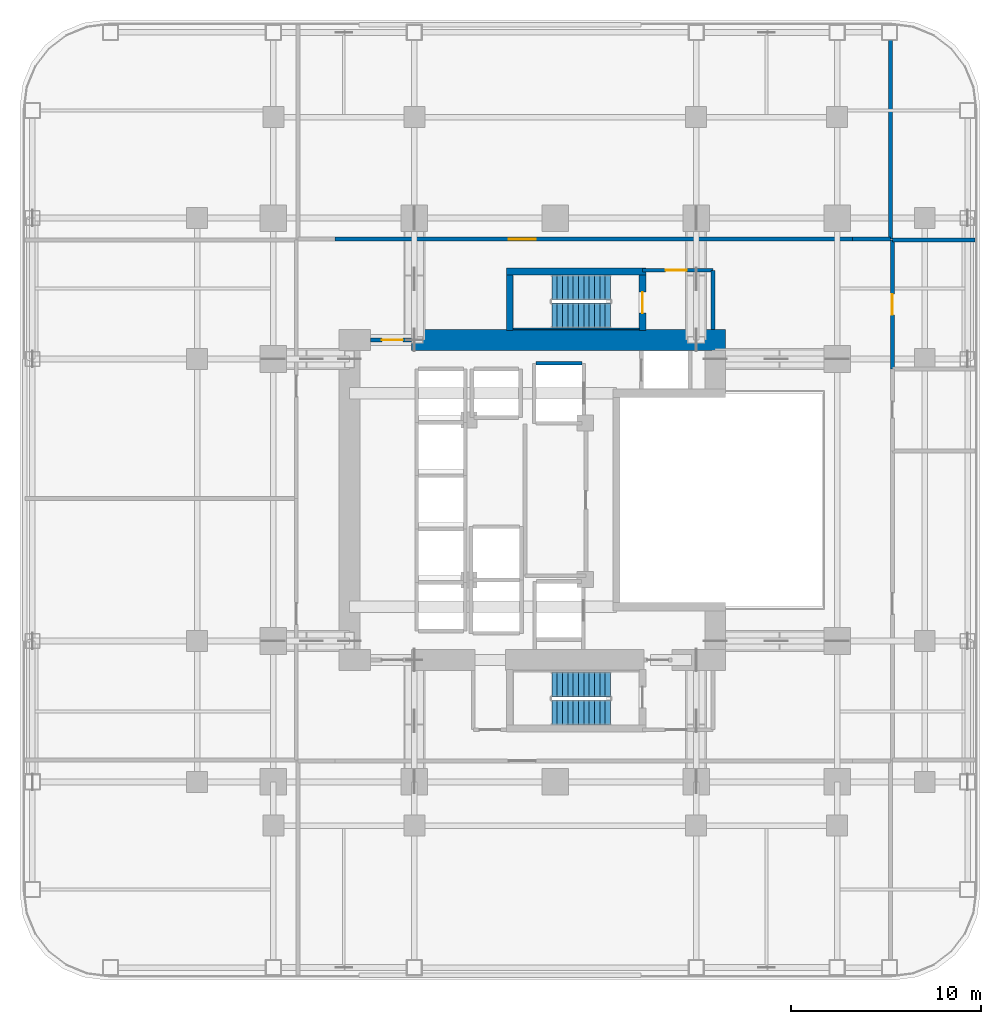
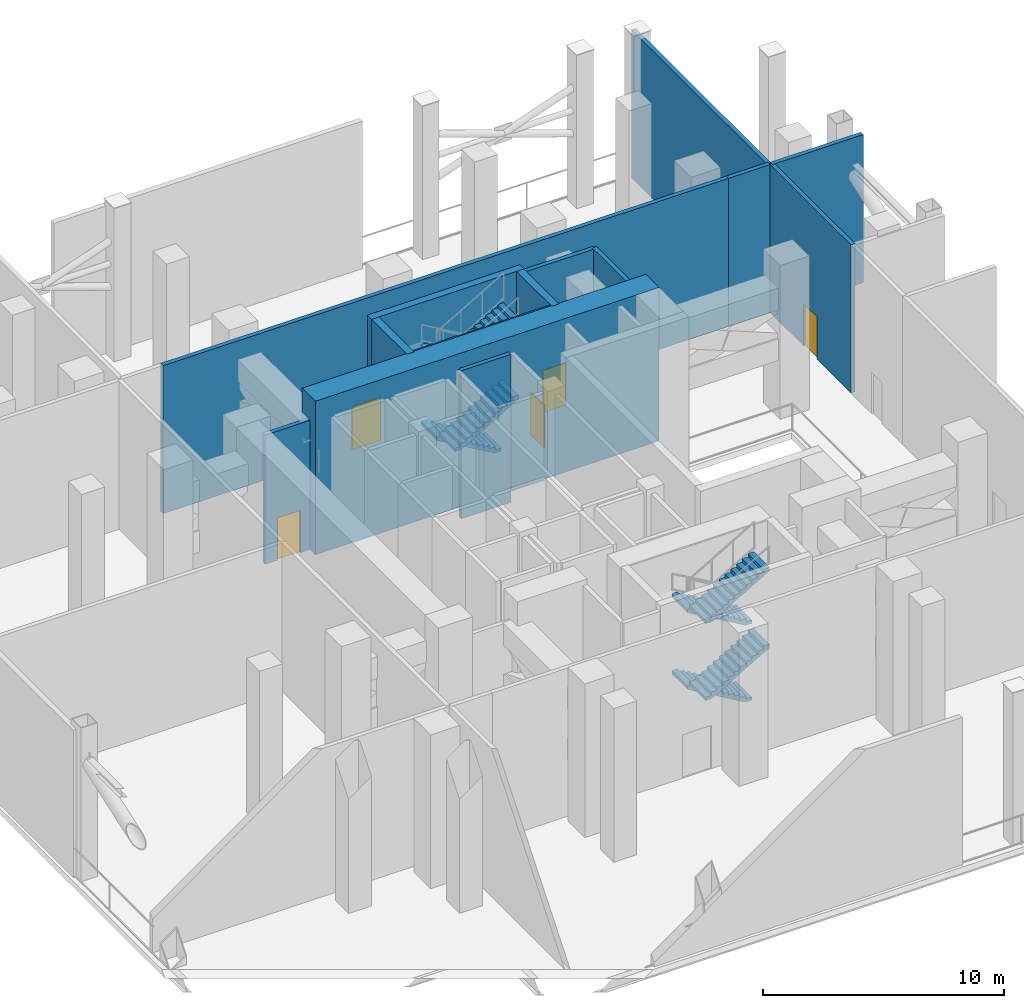
# One storey, part 6 of 11: 14 walls, 8 stair flights, 5 doors, 5 openings, 2 elements without a shape of their own.
"""IFC4 building model written with IfcOpenShell, lengths in metres."""

from ifc_helpers import new_model, si_unit, direction, frame, frame_2d, origin, place, context, subcontext, project, spatial, polyline, rectangle, outline, extrude, material, layer, layer_set, type_object, element, fill, aggregate, save


model = new_model("IFC4")

# Units and contexts
model_context = context("Model", 3, precision=1e-05, world=origin(), true_north=direction((0.0, 1.0)))
body_context = subcontext(model_context, "Body", "Model", "MODEL_VIEW")
ifc_project = project(units=[si_unit("LENGTHUNIT", "METRE"), si_unit("AREAUNIT", "SQUARE_METRE"), si_unit("VOLUMEUNIT", "CUBIC_METRE"), si_unit("PLANEANGLEUNIT", "RADIAN"), si_unit("MASSUNIT", "GRAM", prefix="KILO")], contexts=[model_context])

# Site, building, storey
site_placement = place(None, origin())
site = spatial("IfcSite", under=ifc_project, at=site_placement, CompositionType="ELEMENT")
building_placement = place(site_placement, origin())
building = spatial("IfcBuilding", under=site, at=building_placement, Name="Khorvyn Point Tower", CompositionType="ELEMENT")
storey_placement = place(building_placement, frame((0.0, 0.0, 77.39990234375)))
storey = spatial("IfcBuildingStorey", under=building, at=storey_placement, Name="L20", CompositionType="ELEMENT", Elevation=77.39990234375)

# Wall, opening, door
ifc_material_1 = material(Name="Concrete C40/50", Category="concrete")
ifc_layer_1 = layer(ifc_material_1, 0.199951171875)
ifc_layer_set_1 = layer_set([ifc_layer_1], Name="Concrete C40/50 Fire-Lobby Compartment Wall 200")
wall_type_1 = type_object("IfcWallType", Name="Concrete C40/50 Fire-Lobby Compartment Wall 200", PredefinedType="SOLIDWALL", material=ifc_layer_set_1)
wall_1_placement = place(storey_placement, frame((4.580078125, 12.06005859375, 0.0), z_axis=(0.0, 0.0, 1.0), x_axis=(1.0, 0.0, 0.0)))
wall_1 = element("IfcWall", 1, at=wall_1_placement, inside=storey, type_object=wall_type_1, Name="Wall", PredefinedType="SOLIDWALL", context=body_context, shape_type="SweptSolid", body=[
    extrude(rectangle(XDim=3.699951171875, YDim=0.199951171875, at=frame_2d((1.85009765625, 0.0))), origin(), (0.0, 0.0, 1.0), 7.52001953125),
])
opening_1_placement = place(wall_1_placement, frame((1.21240234375, 0.0, 0.0)))
opening_1 = element("IfcOpeningElement", 2, at=opening_1_placement, cuts=wall_1, Name="Opening ID-FL90", PredefinedType="OPENING", context=body_context, shape_type="SweptSolid", body=[
    extrude(rectangle(XDim=1.10009765625, YDim=2.14990234375, at=frame_2d((0.550048828125, 1.074951171875))), frame((0.0, 0.10986328125, 0.0), z_axis=(0.0, -1.0, 0.0), x_axis=(1.0, 0.0, 0.0)), (0.0, 0.0, 1.0), 0.219970703125),
])
ifc_material_2 = material(Name="Galvanised powder-coated steel", Category="steel")
door_type_1 = type_object("IfcDoorType", Name="Fire-Rated Steel Lobby and Stair Door 1100x2150", OperationType="NOTDEFINED", PredefinedType="DOOR", material=ifc_material_2)
door_1_placement = place(opening_1_placement, origin())
door_1 = element("IfcDoor", 3, at=door_1_placement, inside=storey, type_object=door_type_1, Name="Door", OperationType="SINGLE_SWING_RIGHT", OverallHeight=2.14990234375, OverallWidth=1.10009765625, PredefinedType="DOOR", context=body_context, shape_type="SweptSolid", body=[
    extrude(rectangle(XDim=1.10009765625, YDim=2.14990234375, at=frame_2d((0.550048828125, 1.074951171875))), frame((0.0, 0.02490234375, 0.0), z_axis=(0.0, -1.0, 0.0), x_axis=(1.0, 0.0, 0.0)), (0.0, 0.0, 1.0), 0.050048828125),
])
fill(opening_1, door_1)

wall_2_placement = place(storey_placement, frame((-9.699951171875, 8.39990234375, 0.0), z_axis=(0.0, 0.0, 1.0), x_axis=(1.0, 0.0, 0.0)))
wall_2 = element("IfcWall", 4, at=wall_2_placement, inside=storey, type_object=wall_type_1, Name="Wall", PredefinedType="SOLIDWALL", context=body_context, shape_type="SweptSolid", body=[
    extrude(rectangle(XDim=2.14990234375, YDim=0.199951171875, at=frame_2d((1.074951171875, 0.0))), origin(), (0.0, 0.0, 1.0), 6.56005859375),
])
opening_2_placement = place(wall_2_placement, frame((0.597900390625, 0.0, 0.0)))
opening_2 = element("IfcOpeningElement", 5, at=opening_2_placement, cuts=wall_2, Name="Opening ID-FL90", PredefinedType="OPENING", context=body_context, shape_type="SweptSolid", body=[
    extrude(rectangle(XDim=1.10009765625, YDim=2.14990234375, at=frame_2d((0.550048828125, 1.074951171875))), frame((0.0, 0.10986328125, 0.0), z_axis=(0.0, -1.0, 0.0), x_axis=(1.0, 0.0, 0.0)), (0.0, 0.0, 1.0), 0.219970703125),
])
door_2_placement = place(opening_2_placement, origin())
door_2 = element("IfcDoor", 6, at=door_2_placement, inside=storey, type_object=door_type_1, Name="Door", OperationType="SINGLE_SWING_RIGHT", OverallHeight=2.14990234375, OverallWidth=1.10009765625, PredefinedType="DOOR", context=body_context, shape_type="SweptSolid", body=[
    extrude(rectangle(XDim=1.10009765625, YDim=2.14990234375, at=frame_2d((0.550048828125, 1.074951171875))), frame((0.0, 0.02490234375, 0.0), z_axis=(0.0, -1.0, 0.0), x_axis=(1.0, 0.0, 0.0)), (0.0, 0.0, 1.0), 0.050048828125),
])
fill(opening_2, door_2)

wall_3_placement = place(storey_placement, frame((-11.550048828125, 13.699951171875, 0.0), z_axis=(0.0, 0.0, 1.0), x_axis=(1.0, 0.0, 0.0)))
wall_3 = element("IfcWall", 7, at=wall_3_placement, inside=storey, type_object=wall_type_1, Name="Wall", PredefinedType="SOLIDWALL", context=body_context, shape_type="SweptSolid", body=[
    extrude(rectangle(XDim=27.150146484375, YDim=0.199951171875, at=frame_2d((13.5751953125, 0.0))), origin(), (0.0, 0.0, 1.0), 7.52001953125),
])
opening_3_placement = place(wall_3_placement, frame((9.1142578125, 0.0, 0.0)))
opening_3 = element("IfcOpeningElement", 8, at=opening_3_placement, cuts=wall_3, Name="Opening ID-PL90", PredefinedType="OPENING", context=body_context, shape_type="SweptSolid", body=[
    extrude(rectangle(XDim=1.39990234375, YDim=2.199951171875, at=frame_2d((0.699951171875, 1.10009765625))), frame((0.0, 0.10986328125, 0.0), z_axis=(0.0, -1.0, 0.0), x_axis=(1.0, 0.0, 0.0)), (0.0, 0.0, 1.0), 0.219970703125),
])
door_type_2 = type_object("IfcDoorType", Name="Double-Leaf Acoustic Steel Plant Room Door 1400x2200", OperationType="DOUBLE_DOOR_SINGLE_SWING", PredefinedType="DOOR", material=ifc_material_2)
door_3_placement = place(opening_3_placement, origin())
door_3 = element("IfcDoor", 9, at=door_3_placement, inside=storey, type_object=door_type_2, Name="Door", OperationType="SINGLE_SWING_LEFT", OverallHeight=2.199951171875, OverallWidth=1.39990234375, PredefinedType="DOOR", context=body_context, shape_type="SweptSolid", body=[
    extrude(rectangle(XDim=1.39990234375, YDim=2.199951171875, at=frame_2d((0.699951171875, 1.10009765625))), frame((0.0, 0.02490234375, 0.0), z_axis=(0.0, -1.0, 0.0), x_axis=(1.0, 0.0, 0.0)), (0.0, 0.0, 1.0), 0.050048828125),
])
fill(opening_3, door_3)

wall_4_placement = place(storey_placement, frame((17.699951171875, 6.8798828125, 0.0), z_axis=(0.0, 0.0, 1.0), x_axis=(0.0, 1.0, 0.0)))
wall_4 = element("IfcWall", 10, at=wall_4_placement, inside=storey, type_object=wall_type_1, Name="Wall", PredefinedType="SOLIDWALL", context=body_context, shape_type="SweptSolid", body=[
    extrude(rectangle(XDim=6.77001953125, YDim=0.199951171875, at=frame_2d((3.385009765625, 0.0))), origin(), (0.0, 0.0, 1.0), 7.52001953125),
])
opening_4_placement = place(wall_4_placement, frame((2.8349609375, 0.0, 0.0)))
opening_4 = element("IfcOpeningElement", 11, at=opening_4_placement, cuts=wall_4, Name="Opening ID-FL90", PredefinedType="OPENING", context=body_context, shape_type="SweptSolid", body=[
    extrude(rectangle(XDim=1.10009765625, YDim=2.14990234375, at=frame_2d((0.550048828125, 1.074951171875))), frame((0.0, 0.10986328125, 0.0), z_axis=(0.0, -1.0, 0.0), x_axis=(1.0, 0.0, 0.0)), (0.0, 0.0, 1.0), 0.219970703125),
])
door_4_placement = place(opening_4_placement, origin())
door_4 = element("IfcDoor", 12, at=door_4_placement, inside=storey, type_object=door_type_1, Name="Door", OperationType="SINGLE_SWING_LEFT", OverallHeight=2.14990234375, OverallWidth=1.10009765625, PredefinedType="DOOR", context=body_context, shape_type="SweptSolid", body=[
    extrude(rectangle(XDim=1.10009765625, YDim=2.14990234375, at=frame_2d((0.550048828125, 1.074951171875))), frame((0.0, 0.02490234375, 0.0), z_axis=(0.0, -1.0, 0.0), x_axis=(1.0, 0.0, 0.0)), (0.0, 0.0, 1.0), 0.050048828125),
])
fill(opening_4, door_4)

# Walls
wall_5_placement = place(storey_placement, frame((8.280029296875, 8.949951171875, 0.0), z_axis=(0.0, 0.0, 1.0), x_axis=(0.0, 1.0, 0.0)))
element("IfcWall", 13, at=wall_5_placement, inside=storey, type_object=wall_type_1, Name="Wall", PredefinedType="SOLIDWALL", context=body_context, shape_type="SweptSolid", body=[
    extrude(rectangle(XDim=3.110107421875, YDim=0.199951171875, at=frame_2d((1.55517578125, 0.0))), origin(), (0.0, 0.0, 1.0), 7.52001953125),
])
wall_6_placement = place(storey_placement, frame((15.60009765625, 13.699951171875, 0.0), z_axis=(0.0, 0.0, 1.0), x_axis=(1.0, 0.0, 0.0)))
element("IfcWall", 14, at=wall_6_placement, inside=storey, type_object=wall_type_1, Name="Wall", PredefinedType="SOLIDWALL", context=body_context, shape_type="SweptSolid", body=[
    extrude(rectangle(XDim=2.0, YDim=0.199951171875, at=frame_2d((1.0, 0.0))), origin(), (0.0, 0.0, 1.0), 7.52001953125),
])
wall_7_placement = place(storey_placement, frame((17.60009765625, 13.699951171875, 0.0), z_axis=(0.0, 0.0, 1.0), x_axis=(0.0, 1.0, 0.0)))
element("IfcWall", 15, at=wall_7_placement, inside=storey, type_object=wall_type_1, Name="Wall", PredefinedType="SOLIDWALL", context=body_context, shape_type="SweptSolid", body=[
    extrude(rectangle(XDim=11.25, YDim=0.199951171875, at=frame_2d((5.625, 0.0))), origin(), (0.0, 0.0, 1.0), 7.52001953125),
])
wall_8_placement = place(storey_placement, frame((17.699951171875, 13.64990234375, 0.0), z_axis=(0.0, 0.0, 1.0), x_axis=(1.0, 0.0, 0.0)))
element("IfcWall", 16, at=wall_8_placement, inside=storey, type_object=wall_type_1, Name="Wall", PredefinedType="SOLIDWALL", context=body_context, shape_type="SweptSolid", body=[
    extrude(rectangle(XDim=4.35009765625, YDim=0.199951171875, at=frame_2d((2.175048828125, 0.0))), origin(), (0.0, 0.0, 1.0), 7.52001953125),
])
ifc_layer_2 = layer(ifc_material_1, 0.25)
ifc_layer_set_2 = layer_set([ifc_layer_2], Name="Concrete C40/50 Stair Inner Cheek Structural Wall 250")
wall_type_2 = type_object("IfcWallType", Name="Concrete C40/50 Stair Inner Cheek Structural Wall 250", PredefinedType="SHEAR", material=ifc_layer_set_2)
wall_9_placement = place(storey_placement, frame((-2.199951171875, 8.987548828125, 0.0), z_axis=(0.0, 0.0, 1.0), x_axis=(1.0, 0.0, 0.0)))
element("IfcWall", 17, at=wall_9_placement, inside=storey, type_object=wall_type_2, Name="Wall", PredefinedType="SHEAR", context=body_context, shape_type="SweptSolid", body=[
    extrude(rectangle(XDim=6.599853515625, YDim=0.074951171875, at=frame_2d((3.2998046875, 0.0))), origin(), (0.0, 0.0, 1.0), 7.800048828125),
])
ifc_layer_3 = layer(ifc_material_1, 0.35009765625)
ifc_layer_set_3 = layer_set([ifc_layer_3], Name="Concrete C40/50 Stair Shaft Structural Wall 350")
wall_type_3 = type_object("IfcWallType", Name="Concrete C40/50 Stair Shaft Structural Wall 350", PredefinedType="SHEAR", material=ifc_layer_set_3)
wall_10_placement = place(storey_placement, frame((-2.554931640625, 12.0, 0.0), z_axis=(0.0, 0.0, 1.0), x_axis=(1.0, 0.0, 0.0)))
element("IfcWall", 18, at=wall_10_placement, inside=storey, type_object=wall_type_3, Name="L20 ST-02 North Shaft Wall", PredefinedType="SHEAR", context=body_context, shape_type="SweptSolid", body=[
    extrude(rectangle(XDim=7.309814453125, YDim=0.35009765625, at=frame_2d((3.65478515625, 0.0))), origin(), (0.0, 0.0, 1.0), 7.800048828125),
])
wall_11_placement = place(storey_placement, frame((-2.3798828125, 8.89990234375, 0.0), z_axis=(0.0, 0.0, 1.0), x_axis=(0.0, 1.0, 0.0)))
element("IfcWall", 19, at=wall_11_placement, inside=storey, type_object=wall_type_3, Name="L20 ST-02 West Shaft Wall", PredefinedType="SHEAR", context=body_context, shape_type="SweptSolid", body=[
    extrude(rectangle(XDim=2.925048828125, YDim=0.35009765625, at=frame_2d((1.46240234375, 0.0))), origin(), (0.0, 0.0, 1.0), 7.800048828125),
])

# Wall, opening, door
wall_12_placement = place(storey_placement, frame((4.580078125, 11.824951171875, 0.0), z_axis=(0.0, 0.0, 1.0), x_axis=(0.0, -1.0, 0.0)))
wall_12 = element("IfcWall", 20, at=wall_12_placement, inside=storey, type_object=wall_type_3, Name="L20 ST-02 East Landing Door Wall", PredefinedType="SHEAR", context=body_context, shape_type="SweptSolid", body=[
    extrude(rectangle(XDim=2.925048828125, YDim=0.35009765625, at=frame_2d((1.46240234375, 0.0))), origin(), (0.0, 0.0, 1.0), 7.800048828125),
])
opening_5_placement = place(wall_12_placement, frame((0.91259765625, 0.0, 0.0)))
opening_5 = element("IfcOpeningElement", 21, at=opening_5_placement, cuts=wall_12, Name="Opening ID-FL90", PredefinedType="OPENING", context=body_context, shape_type="SweptSolid", body=[
    extrude(rectangle(XDim=1.10009765625, YDim=2.14990234375, at=frame_2d((0.550048828125, 1.074951171875))), frame((0.0, 0.18505859375, 0.0), z_axis=(0.0, -1.0, 0.0), x_axis=(1.0, 0.0, 0.0)), (0.0, 0.0, 1.0), 0.3701171875),
])
door_5_placement = place(opening_5_placement, origin())
door_5 = element("IfcDoor", 22, at=door_5_placement, inside=storey, type_object=door_type_1, Name="L20 ST-02 Smokeproof Landing Door", OperationType="SINGLE_SWING_LEFT", OverallHeight=2.14990234375, OverallWidth=1.10009765625, PredefinedType="DOOR", context=body_context, shape_type="SweptSolid", body=[
    extrude(rectangle(XDim=1.10009765625, YDim=2.14990234375, at=frame_2d((0.550048828125, 1.074951171875))), frame((0.0, 0.02490234375, 0.0), z_axis=(0.0, -1.0, 0.0), x_axis=(1.0, 0.0, 0.0)), (0.0, 0.0, 1.0), 0.050048828125),
])
fill(opening_5, door_5)

# Walls
ifc_layer_4 = layer(ifc_material_1, 0.199951171875)
ifc_layer_set_4 = layer_set([ifc_layer_4], Name="Concrete C40/50 Structural Hoistway and Stair Shaft Wall 200")
wall_type_4 = type_object("IfcWallType", Name="Concrete C40/50 Structural Hoistway and Stair Shaft Wall 200", PredefinedType="SHEAR", material=ifc_layer_set_4)
wall_13_placement = place(storey_placement, frame((-1.0, 7.175048828125, 0.0), z_axis=(0.0, 0.0, 1.0), x_axis=(1.0, 0.0, 0.0)))
element("IfcWall", 23, at=wall_13_placement, inside=storey, type_object=wall_type_4, Name="Wall", PredefinedType="SHEAR", context=body_context, shape_type="SweptSolid", body=[
    extrude(rectangle(XDim=2.39990234375, YDim=0.199951171875, at=frame_2d((1.199951171875, 0.0))), origin(), (0.0, 0.0, 1.0), 7.52001953125),
])
ifc_material_3 = material(Name="Concrete C50/60", Category="concrete")
ifc_layer_5 = layer(ifc_material_3, 1.10009765625)
ifc_layer_set_5 = layer_set([ifc_layer_5], Name="Concrete C50/60 Core Shear Wall 1100")
wall_type_5 = type_object("IfcWallType", Name="Concrete C50/60 Core Shear Wall 1100", PredefinedType="SHEAR", material=ifc_layer_set_5)
wall_14_placement = place(storey_placement, frame((-7.550048828125, 8.39990234375, 0.0), z_axis=(0.0, 0.0, 1.0), x_axis=(1.0, 0.0, 0.0)))
element("IfcWall", 24, at=wall_14_placement, inside=storey, type_object=wall_type_5, Name="Wall", PredefinedType="SHEAR", context=body_context, shape_type="SweptSolid", body=[
    extrude(rectangle(XDim=16.5, YDim=1.10009765625, at=frame_2d((8.25, 0.0))), origin(), (0.0, 0.0, 1.0), 7.800048828125),
])

# Stair, stair flights
stair_type = type_object("IfcStairType", Name="Tower Concrete C40/50 Dogleg Exit Stair", PredefinedType="HALF_TURN_STAIR", material=ifc_material_1)
stair_1_placement = place(storey_placement, origin())
stair_1 = element("IfcStair", 25, at=stair_1_placement, inside=storey, type_object=stair_type, Name="L20 Tower Smokeproof Exit Stair South", PredefinedType="HALF_TURN_STAIR")
stair_flight_type = type_object("IfcStairFlightType", Name="Tower Concrete C40/50 Stair Flight", PredefinedType="STRAIGHT", material=ifc_material_1)
stair_flight_1_placement = place(storey_placement, frame((2.89990234375, -9.679931640625, 0.0), z_axis=(0.0, 0.0, 1.0), x_axis=(-1.0, 0.0, 0.0)))
stair_flight_1 = element("IfcStairFlight", 26, at=stair_flight_1_placement, type_object=stair_flight_type, Name="ST-01 flight 1", NumberOfRisers=12, NumberOfTreads=11, PredefinedType="STRAIGHT", RiserHeight=0.1625, TreadLength=0.28, context=body_context, shape_type="SweptSolid", body=[
    extrude(outline(polyline([(0.0, 0.0), (0.0, 0.16259765625), (0.280029296875, 0.16259765625), (0.280029296875, 0.324951171875), (0.56005859375, 0.324951171875), (0.56005859375, 0.487548828125), (0.840087890625, 0.487548828125), (0.840087890625, 0.64990234375), (1.1201171875, 0.64990234375), (1.1201171875, 0.8125), (1.39990234375, 0.8125), (1.39990234375, 0.97509765625), (1.679931640625, 0.97509765625), (1.679931640625, 1.137451171875), (1.9599609375, 1.137451171875), (1.9599609375, 1.300048828125), (2.239990234375, 1.300048828125), (2.239990234375, 1.46240234375), (2.52001953125, 1.46240234375), (2.52001953125, 1.625), (2.800048828125, 1.625), (2.800048828125, 1.78759765625), (3.080078125, 1.78759765625), (3.080078125, 1.949951171875), (3.080078125, 1.6142578125), (0.298583984375, 0.0), (0.0, 0.0)])), frame((0.0, 0.66015625, 0.0), z_axis=(0.0, -1.0, 0.0), x_axis=(1.0, 0.0, 0.0)), (0.0, 0.0, 1.0), 1.320068359375),
])
stair_flight_2_placement = place(storey_placement, frame((-0.179931640625, -11.159912109375, 1.9501953125), z_axis=(0.0, 0.0, 1.0), x_axis=(1.0, 0.0, 0.0)))
stair_flight_2 = element("IfcStairFlight", 27, at=stair_flight_2_placement, type_object=stair_flight_type, Name="ST-01 flight 2", NumberOfRisers=12, NumberOfTreads=11, PredefinedType="STRAIGHT", RiserHeight=0.1625, TreadLength=0.28, context=body_context, shape_type="SweptSolid", body=[
    extrude(outline(polyline([(0.0, 0.0), (0.0, 0.16259765625), (0.280029296875, 0.16259765625), (0.280029296875, 0.324951171875), (0.56005859375, 0.324951171875), (0.56005859375, 0.487548828125), (0.840087890625, 0.487548828125), (0.840087890625, 0.64990234375), (1.1201171875, 0.64990234375), (1.1201171875, 0.8125), (1.39990234375, 0.8125), (1.39990234375, 0.97509765625), (1.679931640625, 0.97509765625), (1.679931640625, 1.137451171875), (1.9599609375, 1.137451171875), (1.9599609375, 1.300048828125), (2.239990234375, 1.300048828125), (2.239990234375, 1.46240234375), (2.52001953125, 1.46240234375), (2.52001953125, 1.625), (2.800048828125, 1.625), (2.800048828125, 1.78759765625), (3.080078125, 1.78759765625), (3.080078125, 1.949951171875), (3.080078125, 1.6142578125), (0.298583984375, 0.0), (0.0, 0.0)])), frame((0.0, 0.66015625, 0.0), z_axis=(0.0, -1.0, 0.0), x_axis=(1.0, 0.0, 0.0)), (0.0, 0.0, 1.0), 1.320068359375),
])
stair_flight_3_placement = place(storey_placement, frame((2.89990234375, -9.679931640625, 3.900146484375), z_axis=(0.0, 0.0, 1.0), x_axis=(-1.0, 0.0, 0.0)))
stair_flight_3 = element("IfcStairFlight", 28, at=stair_flight_3_placement, type_object=stair_flight_type, Name="ST-01 flight 3", NumberOfRisers=12, NumberOfTreads=11, PredefinedType="STRAIGHT", RiserHeight=0.1625, TreadLength=0.28, context=body_context, shape_type="SweptSolid", body=[
    extrude(outline(polyline([(0.0, 0.0), (0.0, 0.16259765625), (0.280029296875, 0.16259765625), (0.280029296875, 0.324951171875), (0.56005859375, 0.324951171875), (0.56005859375, 0.487548828125), (0.840087890625, 0.487548828125), (0.840087890625, 0.64990234375), (1.1201171875, 0.64990234375), (1.1201171875, 0.8125), (1.39990234375, 0.8125), (1.39990234375, 0.97509765625), (1.679931640625, 0.97509765625), (1.679931640625, 1.137451171875), (1.9599609375, 1.137451171875), (1.9599609375, 1.300048828125), (2.239990234375, 1.300048828125), (2.239990234375, 1.46240234375), (2.52001953125, 1.46240234375), (2.52001953125, 1.625), (2.800048828125, 1.625), (2.800048828125, 1.78759765625), (3.080078125, 1.78759765625), (3.080078125, 1.949951171875), (3.080078125, 1.6142578125), (0.298583984375, 0.0), (0.0, 0.0)])), frame((0.0, 0.66015625, 0.0), z_axis=(0.0, -1.0, 0.0), x_axis=(1.0, 0.0, 0.0)), (0.0, 0.0, 1.0), 1.320068359375),
])
stair_flight_4_placement = place(storey_placement, frame((-0.179931640625, -11.159912109375, 5.85009765625), z_axis=(0.0, 0.0, 1.0), x_axis=(1.0, 0.0, 0.0)))
stair_flight_4 = element("IfcStairFlight", 29, at=stair_flight_4_placement, type_object=stair_flight_type, Name="ST-01 flight 4", NumberOfRisers=12, NumberOfTreads=11, PredefinedType="STRAIGHT", RiserHeight=0.1625, TreadLength=0.28, context=body_context, shape_type="SweptSolid", body=[
    extrude(outline(polyline([(0.0, 0.0), (0.0, 0.16259765625), (0.280029296875, 0.16259765625), (0.280029296875, 0.324951171875), (0.56005859375, 0.324951171875), (0.56005859375, 0.487548828125), (0.840087890625, 0.487548828125), (0.840087890625, 0.64990234375), (1.1201171875, 0.64990234375), (1.1201171875, 0.8125), (1.39990234375, 0.8125), (1.39990234375, 0.97509765625), (1.679931640625, 0.97509765625), (1.679931640625, 1.137451171875), (1.9599609375, 1.137451171875), (1.9599609375, 1.300048828125), (2.239990234375, 1.300048828125), (2.239990234375, 1.46240234375), (2.52001953125, 1.46240234375), (2.52001953125, 1.625), (2.800048828125, 1.625), (2.800048828125, 1.78759765625), (3.080078125, 1.78759765625), (3.080078125, 1.949951171875), (3.080078125, 1.6142578125), (0.298583984375, 0.0), (0.0, 0.0)])), frame((0.0, 0.66015625, 0.0), z_axis=(0.0, -1.0, 0.0), x_axis=(1.0, 0.0, 0.0)), (0.0, 0.0, 1.0), 1.320068359375),
])
aggregate(stair_1, [stair_flight_1, stair_flight_2, stair_flight_3, stair_flight_4])

stair_2_placement = place(storey_placement, origin())
stair_2 = element("IfcStair", 30, at=stair_2_placement, inside=storey, type_object=stair_type, Name="L20 Tower Smokeproof Exit Stair North", PredefinedType="HALF_TURN_STAIR")
stair_flight_5_placement = place(storey_placement, frame((2.89990234375, 11.159912109375, 0.0), z_axis=(0.0, 0.0, 1.0), x_axis=(-1.0, 0.0, 0.0)))
stair_flight_5 = element("IfcStairFlight", 31, at=stair_flight_5_placement, type_object=stair_flight_type, Name="ST-02 flight 1", NumberOfRisers=12, NumberOfTreads=11, PredefinedType="STRAIGHT", RiserHeight=0.1625, TreadLength=0.28, context=body_context, shape_type="SweptSolid", body=[
    extrude(outline(polyline([(0.0, 0.0), (0.0, 0.16259765625), (0.280029296875, 0.16259765625), (0.280029296875, 0.324951171875), (0.56005859375, 0.324951171875), (0.56005859375, 0.487548828125), (0.840087890625, 0.487548828125), (0.840087890625, 0.64990234375), (1.1201171875, 0.64990234375), (1.1201171875, 0.8125), (1.39990234375, 0.8125), (1.39990234375, 0.97509765625), (1.679931640625, 0.97509765625), (1.679931640625, 1.137451171875), (1.9599609375, 1.137451171875), (1.9599609375, 1.300048828125), (2.239990234375, 1.300048828125), (2.239990234375, 1.46240234375), (2.52001953125, 1.46240234375), (2.52001953125, 1.625), (2.800048828125, 1.625), (2.800048828125, 1.78759765625), (3.080078125, 1.78759765625), (3.080078125, 1.949951171875), (3.080078125, 1.6142578125), (0.298583984375, 0.0), (0.0, 0.0)])), frame((0.0, 0.66015625, 0.0), z_axis=(0.0, -1.0, 0.0), x_axis=(1.0, 0.0, 0.0)), (0.0, 0.0, 1.0), 1.320068359375),
])
stair_flight_6_placement = place(storey_placement, frame((-0.179931640625, 9.679931640625, 1.9501953125), z_axis=(0.0, 0.0, 1.0), x_axis=(1.0, 0.0, 0.0)))
stair_flight_6 = element("IfcStairFlight", 32, at=stair_flight_6_placement, type_object=stair_flight_type, Name="ST-02 flight 2", NumberOfRisers=12, NumberOfTreads=11, PredefinedType="STRAIGHT", RiserHeight=0.1625, TreadLength=0.28, context=body_context, shape_type="SweptSolid", body=[
    extrude(outline(polyline([(0.0, 0.0), (0.0, 0.16259765625), (0.280029296875, 0.16259765625), (0.280029296875, 0.324951171875), (0.56005859375, 0.324951171875), (0.56005859375, 0.487548828125), (0.840087890625, 0.487548828125), (0.840087890625, 0.64990234375), (1.1201171875, 0.64990234375), (1.1201171875, 0.8125), (1.39990234375, 0.8125), (1.39990234375, 0.97509765625), (1.679931640625, 0.97509765625), (1.679931640625, 1.137451171875), (1.9599609375, 1.137451171875), (1.9599609375, 1.300048828125), (2.239990234375, 1.300048828125), (2.239990234375, 1.46240234375), (2.52001953125, 1.46240234375), (2.52001953125, 1.625), (2.800048828125, 1.625), (2.800048828125, 1.78759765625), (3.080078125, 1.78759765625), (3.080078125, 1.949951171875), (3.080078125, 1.6142578125), (0.298583984375, 0.0), (0.0, 0.0)])), frame((0.0, 0.66015625, 0.0), z_axis=(0.0, -1.0, 0.0), x_axis=(1.0, 0.0, 0.0)), (0.0, 0.0, 1.0), 1.320068359375),
])
stair_flight_7_placement = place(storey_placement, frame((2.89990234375, 11.159912109375, 3.900146484375), z_axis=(0.0, 0.0, 1.0), x_axis=(-1.0, 0.0, 0.0)))
stair_flight_7 = element("IfcStairFlight", 33, at=stair_flight_7_placement, type_object=stair_flight_type, Name="ST-02 flight 3", NumberOfRisers=12, NumberOfTreads=11, PredefinedType="STRAIGHT", RiserHeight=0.1625, TreadLength=0.28, context=body_context, shape_type="SweptSolid", body=[
    extrude(outline(polyline([(0.0, 0.0), (0.0, 0.16259765625), (0.280029296875, 0.16259765625), (0.280029296875, 0.324951171875), (0.56005859375, 0.324951171875), (0.56005859375, 0.487548828125), (0.840087890625, 0.487548828125), (0.840087890625, 0.64990234375), (1.1201171875, 0.64990234375), (1.1201171875, 0.8125), (1.39990234375, 0.8125), (1.39990234375, 0.97509765625), (1.679931640625, 0.97509765625), (1.679931640625, 1.137451171875), (1.9599609375, 1.137451171875), (1.9599609375, 1.300048828125), (2.239990234375, 1.300048828125), (2.239990234375, 1.46240234375), (2.52001953125, 1.46240234375), (2.52001953125, 1.625), (2.800048828125, 1.625), (2.800048828125, 1.78759765625), (3.080078125, 1.78759765625), (3.080078125, 1.949951171875), (3.080078125, 1.6142578125), (0.298583984375, 0.0), (0.0, 0.0)])), frame((0.0, 0.66015625, 0.0), z_axis=(0.0, -1.0, 0.0), x_axis=(1.0, 0.0, 0.0)), (0.0, 0.0, 1.0), 1.320068359375),
])
stair_flight_8_placement = place(storey_placement, frame((-0.179931640625, 9.679931640625, 5.85009765625), z_axis=(0.0, 0.0, 1.0), x_axis=(1.0, 0.0, 0.0)))
stair_flight_8 = element("IfcStairFlight", 34, at=stair_flight_8_placement, type_object=stair_flight_type, Name="ST-02 flight 4", NumberOfRisers=12, NumberOfTreads=11, PredefinedType="STRAIGHT", RiserHeight=0.1625, TreadLength=0.28, context=body_context, shape_type="SweptSolid", body=[
    extrude(outline(polyline([(0.0, 0.0), (0.0, 0.16259765625), (0.280029296875, 0.16259765625), (0.280029296875, 0.324951171875), (0.56005859375, 0.324951171875), (0.56005859375, 0.487548828125), (0.840087890625, 0.487548828125), (0.840087890625, 0.64990234375), (1.1201171875, 0.64990234375), (1.1201171875, 0.8125), (1.39990234375, 0.8125), (1.39990234375, 0.97509765625), (1.679931640625, 0.97509765625), (1.679931640625, 1.137451171875), (1.9599609375, 1.137451171875), (1.9599609375, 1.300048828125), (2.239990234375, 1.300048828125), (2.239990234375, 1.46240234375), (2.52001953125, 1.46240234375), (2.52001953125, 1.625), (2.800048828125, 1.625), (2.800048828125, 1.78759765625), (3.080078125, 1.78759765625), (3.080078125, 1.949951171875), (3.080078125, 1.6142578125), (0.298583984375, 0.0), (0.0, 0.0)])), frame((0.0, 0.66015625, 0.0), z_axis=(0.0, -1.0, 0.0), x_axis=(1.0, 0.0, 0.0)), (0.0, 0.0, 1.0), 1.320068359375),
])
aggregate(stair_2, [stair_flight_5, stair_flight_6, stair_flight_7, stair_flight_8])

save(model, "model.ifc")
